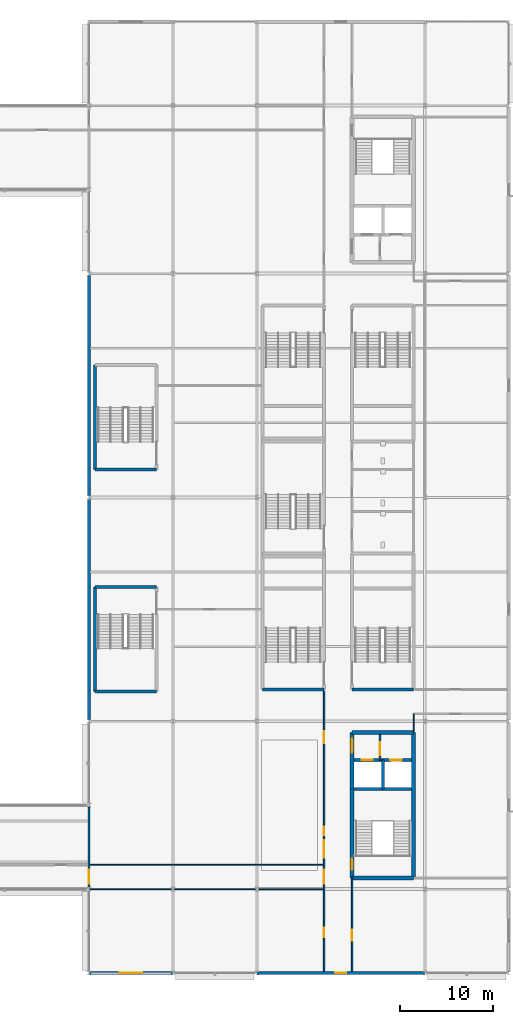
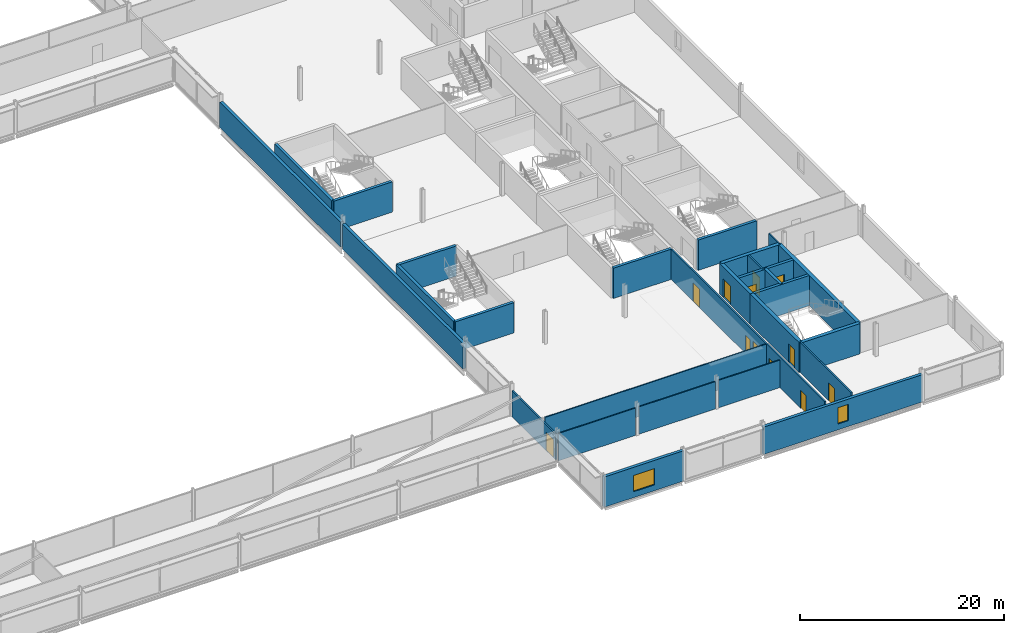
# One storey, part 64 of 98: 29 walls, 12 doors, 2 windows, 14 openings.
"""IFC4 building model written with IfcOpenShell, lengths in metres."""

from ifc_helpers import new_model, si_unit, direction, frame, frame_2d, origin, place, context, subcontext, project, spatial, rectangle, extrude, material, layer, layer_set, type_object, element, fill, save


model = new_model("IFC4")

# Units and contexts
model_context = context("Model", 3, precision=1e-05, world=origin(), true_north=direction((0.0, 1.0)))
body_context = subcontext(model_context, "Body", "Model", "MODEL_VIEW")
ifc_project = project(units=[si_unit("LENGTHUNIT", "METRE"), si_unit("AREAUNIT", "SQUARE_METRE"), si_unit("VOLUMEUNIT", "CUBIC_METRE"), si_unit("PLANEANGLEUNIT", "RADIAN"), si_unit("MASSUNIT", "GRAM", prefix="KILO")], contexts=[model_context])

# Site, building, storey
site_placement = place(None, origin())
site = spatial("IfcSite", under=ifc_project, at=site_placement, CompositionType="ELEMENT")
building_placement = place(site_placement, origin())
building = spatial("IfcBuilding", under=site, at=building_placement, Name="Kisiwana Market Hall", CompositionType="ELEMENT")
storey_placement = place(building_placement, frame((0.0, 0.0, 29.39990234375)))
storey = spatial("IfcBuildingStorey", under=building, at=storey_placement, Name="L06", CompositionType="ELEMENT", Elevation=29.39990234375)

# Wall, opening, door
ifc_material_1 = material(Name="Masonry blockwork", Category="masonry")
ifc_layer_1 = layer(ifc_material_1, 0.199951171875, Name="Plastered fire compartment block wall")
ifc_layer_set_1 = layer_set([ifc_layer_1], Name="WL-COMP-200")
wall_type_1 = type_object("IfcWallType", Name="WL-COMP-200", PredefinedType="PARTITIONING", material=ifc_layer_set_1)
wall_1_placement = place(storey_placement, frame((184.199951171875, 31.820068359375, 0.0), z_axis=(0.0, 0.0, 1.0), x_axis=(0.0, 1.0, 0.0)))
wall_1 = element("IfcWall", 1, at=wall_1_placement, inside=storey, type_object=wall_type_1, Name="Core E2 firefighting lobby wall W-2016", PredefinedType="PARTITIONING", context=body_context, shape_type="SweptSolid", body=[
    extrude(rectangle(XDim=2.780029296875, YDim=0.199951171875, at=frame_2d((1.39013671875, 0.0))), origin(), (0.0, 0.0, 1.0), 3.6201171875),
])
opening_1_placement = place(wall_1_placement, frame((0.550048828125, 0.0, 0.0)))
opening_1 = element("IfcOpeningElement", 2, at=opening_1_placement, cuts=wall_1, Name="Opening DR-L06-009", PredefinedType="OPENING", context=body_context, shape_type="SweptSolid", body=[
    extrude(rectangle(XDim=1.39990234375, YDim=2.25, at=frame_2d((0.699951171875, 1.125))), frame((0.0, 0.11181640625, 0.0), z_axis=(0.0, -1.0, 0.0), x_axis=(1.0, 0.0, 0.0)), (0.0, 0.0, 1.0), 0.223876953125),
])
ifc_material_2 = material(Name="Steel S275", Category="steel")
door_type_1 = type_object("IfcDoorType", Name="DR-FFLOB-FD120-1400", OperationType="DOUBLE_DOOR_SINGLE_SWING", PredefinedType="DOOR", material=ifc_material_2)
door_1_placement = place(opening_1_placement, origin())
door_1 = element("IfcDoor", 3, at=door_1_placement, inside=storey, type_object=door_type_1, Name="Firefighting Lift Lobby E2 Door (L06)", OperationType="DOUBLE_DOOR_SINGLE_SWING", OverallHeight=2.25, OverallWidth=1.39990234375, PredefinedType="DOOR", context=body_context, shape_type="SweptSolid", body=[
    extrude(rectangle(XDim=1.39990234375, YDim=2.25, at=frame_2d((0.699951171875, 1.125))), frame((0.0, 0.02490234375, 0.0), z_axis=(0.0, -1.0, 0.0), x_axis=(1.0, 0.0, 0.0)), (0.0, 0.0, 1.0), 0.050048828125),
])
fill(opening_1, door_1)

# Walls
ifc_material_3 = material(Name="Concrete C40/50", Category="concrete")
ifc_layer_2 = layer(ifc_material_3, 0.320068359375, Name="Reinforced concrete shaft wall")
ifc_layer_set_2 = layer_set([ifc_layer_2], Name="WL-CORE-320")
wall_type_2 = type_object("IfcWallType", Name="WL-CORE-320", PredefinedType="SHEAR", material=ifc_layer_set_2)
wall_2_placement = place(storey_placement, frame((181.39990234375, 28.760009765625, 0.0), z_axis=(0.0, 0.0, 1.0), x_axis=(1.0, 0.0, 0.0)))
element("IfcWall", 4, at=wall_2_placement, inside=storey, type_object=wall_type_2, Name="Core E2 shaft back shear wall W-1913", PredefinedType="SHEAR", context=body_context, shape_type="SweptSolid", body=[
    extrude(rectangle(XDim=6.2001953125, YDim=0.320068359375, at=frame_2d((3.10009765625, 0.0))), origin(), (0.0, 0.0, 1.0), 3.6201171875),
])
wall_3_placement = place(storey_placement, frame((184.5, 28.760009765625, 0.0), z_axis=(0.0, 0.0, 1.0), x_axis=(0.0, 1.0, 0.0)))
element("IfcWall", 5, at=wall_3_placement, inside=storey, type_object=wall_type_2, Name="Core E2 inter-shaft shear wall W-1914", PredefinedType="SHEAR", context=body_context, shape_type="SweptSolid", body=[
    extrude(rectangle(XDim=3.06005859375, YDim=0.320068359375, at=frame_2d((1.530029296875, 0.0))), origin(), (0.0, 0.0, 1.0), 3.6201171875),
])

# Wall, opening, door
wall_4_placement = place(storey_placement, frame((181.39990234375, 31.820068359375, 0.0), z_axis=(0.0, 0.0, 1.0), x_axis=(1.0, 0.0, 0.0)))
wall_4 = element("IfcWall", 6, at=wall_4_placement, inside=storey, type_object=wall_type_2, Name="Core E2 west lift front wall W-1915", PredefinedType="SHEAR", context=body_context, shape_type="SweptSolid", body=[
    extrude(rectangle(XDim=3.10009765625, YDim=0.320068359375, at=frame_2d((1.550048828125, 0.0))), origin(), (0.0, 0.0, 1.0), 3.6201171875),
])
opening_2_placement = place(wall_4_placement, frame((0.85009765625, 0.0, 0.0)))
opening_2 = element("IfcOpeningElement", 7, at=opening_2_placement, cuts=wall_4, Name="Opening LD-L06-005", PredefinedType="OPENING", context=body_context, shape_type="SweptSolid", body=[
    extrude(rectangle(XDim=1.14990234375, YDim=2.199951171875, at=frame_2d((0.574951171875, 1.10009765625))), frame((0.0, 0.171875, 0.0), z_axis=(0.0, -1.0, 0.0), x_axis=(1.0, 0.0, 0.0)), (0.0, 0.0, 1.0), 0.343994140625),
])
ifc_material_4 = material(Name="Steel S275", Category="steel")
door_type_2 = type_object("IfcDoorType", Name="DR-LIFT-PAX-1150", OperationType="DOUBLE_DOOR_SLIDING", PredefinedType="DOOR", material=ifc_material_4)
door_2_placement = place(opening_2_placement, origin())
door_2 = element("IfcDoor", 8, at=door_2_placement, inside=storey, type_object=door_type_2, Name="Lift Landing Door LP-03 (L06)", OperationType="DOUBLE_DOOR_SLIDING", OverallHeight=2.199951171875, OverallWidth=1.14990234375, PredefinedType="DOOR", context=body_context, shape_type="SweptSolid", body=[
    extrude(rectangle(XDim=1.14990234375, YDim=2.199951171875, at=frame_2d((0.574951171875, 1.10009765625))), frame((0.0, 0.02490234375, 0.0), z_axis=(0.0, -1.0, 0.0), x_axis=(1.0, 0.0, 0.0)), (0.0, 0.0, 1.0), 0.050048828125),
])
fill(opening_2, door_2)

wall_5_placement = place(storey_placement, frame((184.5, 31.820068359375, 0.0), z_axis=(0.0, 0.0, 1.0), x_axis=(1.0, 0.0, 0.0)))
wall_5 = element("IfcWall", 9, at=wall_5_placement, inside=storey, type_object=wall_type_2, Name="Core E2 east lift front wall W-1916", PredefinedType="SHEAR", context=body_context, shape_type="SweptSolid", body=[
    extrude(rectangle(XDim=3.10009765625, YDim=0.320068359375, at=frame_2d((1.550048828125, 0.0))), origin(), (0.0, 0.0, 1.0), 3.6201171875),
])
opening_3_placement = place(wall_5_placement, frame((0.800048828125, 0.0, 0.0)))
opening_3 = element("IfcOpeningElement", 10, at=opening_3_placement, cuts=wall_5, Name="Opening LD-L06-006", PredefinedType="OPENING", context=body_context, shape_type="SweptSolid", body=[
    extrude(rectangle(XDim=1.25, YDim=2.25, at=frame_2d((0.625, 1.125))), frame((0.0, 0.171875, 0.0), z_axis=(0.0, -1.0, 0.0), x_axis=(1.0, 0.0, 0.0)), (0.0, 0.0, 1.0), 0.343994140625),
])
ifc_material_5 = material(Name="Steel S275", Category="steel")
door_type_3 = type_object("IfcDoorType", Name="DR-LIFT-FFL-1250", OperationType="DOUBLE_DOOR_SLIDING", PredefinedType="DOOR", material=ifc_material_5)
door_3_placement = place(opening_3_placement, origin())
door_3 = element("IfcDoor", 11, at=door_3_placement, inside=storey, type_object=door_type_3, Name="Lift Landing Door FFL-03 (L06)", OperationType="DOUBLE_DOOR_SLIDING", OverallHeight=2.25, OverallWidth=1.25, PredefinedType="DOOR", context=body_context, shape_type="SweptSolid", body=[
    extrude(rectangle(XDim=1.25, YDim=2.25, at=frame_2d((0.625, 1.125))), frame((0.0, 0.02490234375, 0.0), z_axis=(0.0, -1.0, 0.0), x_axis=(1.0, 0.0, 0.0)), (0.0, 0.0, 1.0), 0.050048828125),
])
fill(opening_3, door_3)

# Walls
wall_6_placement = place(storey_placement, frame((181.199951171875, 39.39990234375, 0.0), z_axis=(0.0, 0.0, 1.0), x_axis=(1.0, 0.0, 0.0)))
element("IfcWall", 12, at=wall_6_placement, inside=storey, type_object=wall_type_2, Name="Core E3 south shear wall W-1936", PredefinedType="SHEAR", context=body_context, shape_type="SweptSolid", body=[
    extrude(rectangle(XDim=6.60009765625, YDim=0.320068359375, at=frame_2d((3.300048828125, 0.0))), origin(), (0.0, 0.0, 1.0), 3.6201171875),
])
wall_7_placement = place(storey_placement, frame((171.60009765625, 39.39990234375, 0.0), z_axis=(0.0, 0.0, 1.0), x_axis=(1.0, 0.0, 0.0)))
element("IfcWall", 13, at=wall_7_placement, inside=storey, type_object=wall_type_2, Name="Core E7 south shear wall W-1951", PredefinedType="SHEAR", context=body_context, shape_type="SweptSolid", body=[
    extrude(rectangle(XDim=6.599853515625, YDim=0.320068359375, at=frame_2d((3.2998046875, 0.0))), origin(), (0.0, 0.0, 1.0), 3.6201171875),
])
for number, where, z_axis, x_axis, name in (
    (14, (153.6298828125, 39.199951171875, 0.0), (0.0, 0.0, 1.0), (1.0, 0.0, 0.0), "Core E9 south shear wall W-1970"),
    (15, (153.6298828125, 50.39990234375, 0.0), (0.0, 0.0, 1.0), (1.0, 0.0, 0.0), "Core E9 north shear wall W-1971"),
):
    element("IfcWall", number, at=place(storey_placement, frame(where, z_axis=z_axis, x_axis=x_axis)), inside=storey, type_object=wall_type_2, Name=name, PredefinedType="SHEAR", context=body_context, shape_type="SweptSolid", body=[
        extrude(rectangle(XDim=6.60009765625, YDim=0.320068359375, at=frame_2d((3.300048828125, 0.0))), origin(), (0.0, 0.0, 1.0), 3.6201171875),
    ])
wall_8_placement = place(storey_placement, frame((153.6298828125, 39.199951171875, 0.0), z_axis=(0.0, 0.0, 1.0), x_axis=(0.0, 1.0, 0.0)))
element("IfcWall", 16, at=wall_8_placement, inside=storey, type_object=wall_type_2, Name="Core E9 outer shear wall W-1972", PredefinedType="SHEAR", context=body_context, shape_type="SweptSolid", body=[
    extrude(rectangle(XDim=11.199951171875, YDim=0.320068359375, at=frame_2d((5.60009765625, 0.0))), origin(), (0.0, 0.0, 1.0), 3.6201171875),
])
wall_9_placement = place(storey_placement, frame((153.6298828125, 63.0, 0.0), z_axis=(0.0, 0.0, 1.0), x_axis=(1.0, 0.0, 0.0)))
element("IfcWall", 17, at=wall_9_placement, inside=storey, type_object=wall_type_2, Name="Core E10 south shear wall W-1978", PredefinedType="SHEAR", context=body_context, shape_type="SweptSolid", body=[
    extrude(rectangle(XDim=6.60009765625, YDim=0.320068359375, at=frame_2d((3.300048828125, 0.0))), origin(), (0.0, 0.0, 1.0), 3.6201171875),
])
wall_10_placement = place(storey_placement, frame((153.6298828125, 63.0, 0.0), z_axis=(0.0, 0.0, 1.0), x_axis=(0.0, 1.0, 0.0)))
element("IfcWall", 18, at=wall_10_placement, inside=storey, type_object=wall_type_2, Name="Core E10 outer shear wall W-1980", PredefinedType="SHEAR", context=body_context, shape_type="SweptSolid", body=[
    extrude(rectangle(XDim=11.199951171875, YDim=0.320068359375, at=frame_2d((5.60009765625, 0.0))), origin(), (0.0, 0.0, 1.0), 3.6201171875),
])
ifc_material_6 = material(Name="Concrete C40/50", Category="concrete")
ifc_layer_3 = layer(ifc_material_6, 0.39990234375, Name="Reinforced concrete core wall")
ifc_layer_set_3 = layer_set([ifc_layer_3], Name="WL-CORE-400")
wall_type_3 = type_object("IfcWallType", Name="WL-CORE-400", PredefinedType="SHEAR", material=ifc_layer_set_3)
for number, where, z_axis, x_axis, name in (
    (19, (181.199951171875, 19.199951171875, 0.0), (0.0, 0.0, 1.0), (1.0, 0.0, 0.0), "Core E2 south shear wall W-1908"),
    (20, (181.199951171875, 34.800048828125, 0.0), (0.0, 0.0, 1.0), (1.0, 0.0, 0.0), "Core E2 north shear wall W-1909"),
):
    element("IfcWall", number, at=place(storey_placement, frame(where, z_axis=z_axis, x_axis=x_axis)), inside=storey, type_object=wall_type_3, Name=name, PredefinedType="SHEAR", context=body_context, shape_type="SweptSolid", body=[
        extrude(rectangle(XDim=6.60009765625, YDim=0.39990234375, at=frame_2d((3.300048828125, 0.0))), origin(), (0.0, 0.0, 1.0), 3.6201171875),
    ])
wall_11_placement = place(storey_placement, frame((187.800048828125, 19.199951171875, 0.0), z_axis=(0.0, 0.0, 1.0), x_axis=(0.0, 1.0, 0.0)))
element("IfcWall", 21, at=wall_11_placement, inside=storey, type_object=wall_type_3, Name="Core E2 outer shear wall W-1910", PredefinedType="SHEAR", context=body_context, shape_type="SweptSolid", body=[
    extrude(rectangle(XDim=15.60009765625, YDim=0.39990234375, at=frame_2d((7.800048828125, 0.0))), origin(), (0.0, 0.0, 1.0), 3.6201171875),
])

# Wall, opening, door
wall_12_placement = place(storey_placement, frame((181.199951171875, 19.199951171875, 0.0), z_axis=(0.0, 0.0, 1.0), x_axis=(0.0, 1.0, 0.0)))
wall_12 = element("IfcWall", 22, at=wall_12_placement, inside=storey, type_object=wall_type_3, Name="Core E2 stair corridor shear wall W-1911", PredefinedType="SHEAR", context=body_context, shape_type="SweptSolid", body=[
    extrude(rectangle(XDim=9.56005859375, YDim=0.39990234375, at=frame_2d((4.780029296875, 0.0))), origin(), (0.0, 0.0, 1.0), 3.6201171875),
])
opening_4_placement = place(wall_12_placement, frame((0.85009765625, 0.0, 0.0)))
opening_4 = element("IfcOpeningElement", 23, at=opening_4_placement, cuts=wall_12, Name="Opening DR-L06-007", PredefinedType="OPENING", context=body_context, shape_type="SweptSolid", body=[
    extrude(rectangle(XDim=1.199951171875, YDim=2.199951171875, at=frame_2d((0.60009765625, 1.10009765625))), frame((0.0, 0.2119140625, 0.0), z_axis=(0.0, -1.0, 0.0), x_axis=(1.0, 0.0, 0.0)), (0.0, 0.0, 1.0), 0.423828125),
])
ifc_material_7 = material(Name="Steel S275", Category="steel")
door_type_4 = type_object("IfcDoorType", Name="DR-STAIR-FD120-1200", OperationType="NOTDEFINED", PredefinedType="DOOR", material=ifc_material_7)
door_4_placement = place(opening_4_placement, frame((1.199951171875, 0.0, 0.0), z_axis=(0.0, 0.0, 1.0), x_axis=(-1.0, 0.0, 0.0)))
door_4 = element("IfcDoor", 24, at=door_4_placement, inside=storey, type_object=door_type_4, Name="Escape Stair E2 Fire Door (L06)", OperationType="SINGLE_SWING_RIGHT", OverallHeight=2.199951171875, OverallWidth=1.199951171875, PredefinedType="DOOR", context=body_context, shape_type="SweptSolid", body=[
    extrude(rectangle(XDim=1.199951171875, YDim=2.199951171875, at=frame_2d((0.60009765625, 1.10009765625))), frame((0.0, 0.02490234375, 0.0), z_axis=(0.0, -1.0, 0.0), x_axis=(1.0, 0.0, 0.0)), (0.0, 0.0, 1.0), 0.050048828125),
])
fill(opening_4, door_4)

wall_13_placement = place(storey_placement, frame((181.199951171875, 28.760009765625, 0.0), z_axis=(0.0, 0.0, 1.0), x_axis=(0.0, 1.0, 0.0)))
wall_13 = element("IfcWall", 25, at=wall_13_placement, inside=storey, type_object=wall_type_3, Name="Core E2 lobby corridor shear wall W-1912", PredefinedType="SHEAR", context=body_context, shape_type="SweptSolid", body=[
    extrude(rectangle(XDim=6.0400390625, YDim=0.39990234375, at=frame_2d((3.02001953125, 0.0))), origin(), (0.0, 0.0, 1.0), 3.6201171875),
])
opening_5_placement = place(wall_13_placement, frame((3.85009765625, 0.0, 0.0)))
opening_5 = element("IfcOpeningElement", 26, at=opening_5_placement, cuts=wall_13, Name="Opening DR-L06-008", PredefinedType="OPENING", context=body_context, shape_type="SweptSolid", body=[
    extrude(rectangle(XDim=1.5, YDim=2.199951171875, at=frame_2d((0.75, 1.10009765625))), frame((0.0, 0.2119140625, 0.0), z_axis=(0.0, -1.0, 0.0), x_axis=(1.0, 0.0, 0.0)), (0.0, 0.0, 1.0), 0.423828125),
])
ifc_material_8 = material(Name="Steel S275", Category="steel")
door_type_5 = type_object("IfcDoorType", Name="DR-CORR-FD60-1500", OperationType="DOUBLE_DOOR_SINGLE_SWING", PredefinedType="DOOR", material=ifc_material_8)
door_5_placement = place(opening_5_placement, origin())
door_5 = element("IfcDoor", 27, at=door_5_placement, inside=storey, type_object=door_type_5, Name="Passenger Lift Lobby E2 Smoke Door (L06)", OperationType="DOUBLE_DOOR_SINGLE_SWING", OverallHeight=2.199951171875, OverallWidth=1.5, PredefinedType="DOOR", context=body_context, shape_type="SweptSolid", body=[
    extrude(rectangle(XDim=1.5, YDim=2.199951171875, at=frame_2d((0.75, 1.10009765625))), frame((0.0, 0.02490234375, 0.0), z_axis=(0.0, -1.0, 0.0), x_axis=(1.0, 0.0, 0.0)), (0.0, 0.0, 1.0), 0.050048828125),
])
fill(opening_5, door_5)

ifc_material_9 = material(Name="Masonry blockwork", Category="masonry")
ifc_layer_4 = layer(ifc_material_9, 0.169921875, Name="Protected corridor partition")
ifc_layer_set_4 = layer_set([ifc_layer_4], Name="WL-CORR-170")
wall_type_4 = type_object("IfcWallType", Name="WL-CORR-170", PredefinedType="PARTITIONING", material=ifc_layer_set_4)
wall_14_placement = place(storey_placement, frame((181.199951171875, 9.1826171875, 0.0), z_axis=(0.0, 0.0, 1.0), x_axis=(0.0, 1.0, 0.0)))
wall_14 = element("IfcWall", 28, at=wall_14_placement, inside=storey, type_object=wall_type_4, Name="Interior partition W-2058", PredefinedType="PARTITIONING", context=body_context, shape_type="SweptSolid", body=[
    extrude(rectangle(XDim=10.017333984375, YDim=0.169921875, at=frame_2d((5.0087890625, 0.0))), origin(), (0.0, 0.0, 1.0), 3.6201171875),
])
opening_6_placement = place(wall_14_placement, frame((3.300048828125, 0.0, 0.0)))
opening_6 = element("IfcOpeningElement", 29, at=opening_6_placement, cuts=wall_14, Name="Opening DR-L06-052", PredefinedType="OPENING", context=body_context, shape_type="SweptSolid", body=[
    extrude(rectangle(XDim=1.14990234375, YDim=2.14990234375, at=frame_2d((0.574951171875, 1.074951171875))), frame((0.0, 0.096923828125, 0.0), z_axis=(0.0, -1.0, 0.0), x_axis=(1.0, 0.0, 0.0)), (0.0, 0.0, 1.0), 0.19384765625),
])
ifc_material_10 = material(Name="Aluminium alloy 6063-T6", Category="aluminium")
door_type_6 = type_object("IfcDoorType", Name="DR-MEET-1150", OperationType="NOTDEFINED", PredefinedType="DOOR", material=ifc_material_10)
door_6_placement = place(opening_6_placement, frame((1.14990234375, 0.0, 0.0), z_axis=(0.0, 0.0, 1.0), x_axis=(-1.0, 0.0, 0.0)))
door_6 = element("IfcDoor", 30, at=door_6_placement, inside=storey, type_object=door_type_6, Name="L06 E Corner Office Suite South Door", OperationType="SINGLE_SWING_RIGHT", OverallHeight=2.14990234375, OverallWidth=1.14990234375, PredefinedType="DOOR", context=body_context, shape_type="SweptSolid", body=[
    extrude(rectangle(XDim=1.14990234375, YDim=2.14990234375, at=frame_2d((0.574951171875, 1.074951171875))), frame((0.0, 0.02490234375, 0.0), z_axis=(0.0, -1.0, 0.0), x_axis=(1.0, 0.0, 0.0)), (0.0, 0.0, 1.0), 0.050048828125),
])
fill(opening_6, door_6)

# Wall, openings, doors
wall_15_placement = place(storey_placement, frame((178.199951171875, 9.1826171875, 0.0), z_axis=(0.0, 0.0, 1.0), x_axis=(0.0, 1.0, 0.0)))
wall_15 = element("IfcWall", 31, at=wall_15_placement, inside=storey, type_object=wall_type_4, Name="Interior partition W-2070", PredefinedType="PARTITIONING", context=body_context, shape_type="SweptSolid", body=[
    extrude(rectangle(XDim=30.057373046875, YDim=0.169921875, at=frame_2d((15.02880859375, 0.0))), origin(), (0.0, 0.0, 1.0), 3.6201171875),
])
opening_7_placement = place(wall_15_placement, frame((3.677978515625, 0.0, 0.0)))
opening_7 = element("IfcOpeningElement", 32, at=opening_7_placement, cuts=wall_15, Name="Opening DR-L06-055", PredefinedType="OPENING", context=body_context, shape_type="SweptSolid", body=[
    extrude(rectangle(XDim=1.0, YDim=2.14990234375, at=frame_2d((0.5, 1.074951171875))), frame((0.0, 0.096923828125, 0.0), z_axis=(0.0, -1.0, 0.0), x_axis=(1.0, 0.0, 0.0)), (0.0, 0.0, 1.0), 0.19384765625),
])
opening_8_placement = place(wall_15_placement, frame((9.367919921875, 0.0, 0.0)))
opening_8 = element("IfcOpeningElement", 33, at=opening_8_placement, cuts=wall_15, Name="Opening DR-L06-056", PredefinedType="OPENING", context=body_context, shape_type="SweptSolid", body=[
    extrude(rectangle(XDim=1.5, YDim=2.199951171875, at=frame_2d((0.75, 1.10009765625))), frame((0.0, 0.096923828125, 0.0), z_axis=(0.0, -1.0, 0.0), x_axis=(1.0, 0.0, 0.0)), (0.0, 0.0, 1.0), 0.19384765625),
])
opening_9_placement = place(wall_15_placement, frame((24.47705078125, 0.0, 0.0)))
opening_9 = element("IfcOpeningElement", 34, at=opening_9_placement, cuts=wall_15, Name="Opening DR-L06-057", PredefinedType="OPENING", context=body_context, shape_type="SweptSolid", body=[
    extrude(rectangle(XDim=1.280029296875, YDim=2.199951171875, at=frame_2d((0.64013671875, 1.10009765625))), frame((0.0, 0.096923828125, 0.0), z_axis=(0.0, -1.0, 0.0), x_axis=(1.0, 0.0, 0.0)), (0.0, 0.0, 1.0), 0.19384765625),
])
opening_10_placement = place(wall_15_placement, frame((14.569091796875, 0.0, 0.0)))
opening_10 = element("IfcOpeningElement", 35, at=opening_10_placement, cuts=wall_15, Name="Opening DR-L06-058", PredefinedType="OPENING", context=body_context, shape_type="SweptSolid", body=[
    extrude(rectangle(XDim=0.919921875, YDim=2.14990234375, at=frame_2d((0.4599609375, 1.074951171875))), frame((0.0, 0.096923828125, 0.0), z_axis=(0.0, -1.0, 0.0), x_axis=(1.0, 0.0, 0.0)), (0.0, 0.0, 1.0), 0.19384765625),
])
opening_11_placement = place(wall_15_placement, frame((12.16796875, 0.0, 0.0)))
opening_11 = element("IfcOpeningElement", 36, at=opening_11_placement, cuts=wall_15, Name="Opening DR-L06-059", PredefinedType="OPENING", context=body_context, shape_type="SweptSolid", body=[
    extrude(rectangle(XDim=1.89990234375, YDim=2.35009765625, at=frame_2d((0.949951171875, 1.175048828125))), frame((0.0, 0.096923828125, 0.0), z_axis=(0.0, -1.0, 0.0), x_axis=(1.0, 0.0, 0.0)), (0.0, 0.0, 1.0), 0.19384765625),
])
door_7_placement = place(opening_8_placement, origin())
door_7 = element("IfcDoor", 37, at=door_7_placement, inside=storey, type_object=door_type_5, Name="L06 E South Skybridge Link Corridor Door", OperationType="DOUBLE_DOOR_SINGLE_SWING", OverallHeight=2.199951171875, OverallWidth=1.5, PredefinedType="DOOR", context=body_context, shape_type="SweptSolid", body=[
    extrude(rectangle(XDim=1.5, YDim=2.199951171875, at=frame_2d((0.75, 1.10009765625))), frame((0.0, 0.02490234375, 0.0), z_axis=(0.0, -1.0, 0.0), x_axis=(1.0, 0.0, 0.0)), (0.0, 0.0, 1.0), 0.050048828125),
])
fill(opening_8, door_7)
ifc_material_11 = material(Name="Steel S275", Category="steel")
door_type_7 = type_object("IfcDoorType", Name="DR-HALL-1900", OperationType="DOUBLE_DOOR_SINGLE_SWING", PredefinedType="DOOR", material=ifc_material_11)
door_8_placement = place(opening_11_placement, origin())
door_8 = element("IfcDoor", 38, at=door_8_placement, inside=storey, type_object=door_type_7, Name="L06 E Meeting Room A2 Exit Door", OperationType="DOUBLE_DOOR_SINGLE_SWING", OverallHeight=2.35009765625, OverallWidth=1.89990234375, PredefinedType="DOOR", context=body_context, shape_type="SweptSolid", body=[
    extrude(rectangle(XDim=1.89990234375, YDim=2.35009765625, at=frame_2d((0.949951171875, 1.175048828125))), frame((0.0, 0.02490234375, 0.0), z_axis=(0.0, -1.0, 0.0), x_axis=(1.0, 0.0, 0.0)), (0.0, 0.0, 1.0), 0.050048828125),
])
fill(opening_11, door_8)
ifc_material_12 = material(Name="Hardwood timber", Category="wood")
door_type_8 = type_object("IfcDoorType", Name="DR-MEET-1280", OperationType="NOTDEFINED", PredefinedType="DOOR", material=ifc_material_12)
door_9_placement = place(opening_9_placement, origin())
door_9 = element("IfcDoor", 39, at=door_9_placement, inside=storey, type_object=door_type_8, Name="L06 E Meeting Room A2 Door", OperationType="SINGLE_SWING_RIGHT", OverallHeight=2.199951171875, OverallWidth=1.280029296875, PredefinedType="DOOR", context=body_context, shape_type="SweptSolid", body=[
    extrude(rectangle(XDim=1.280029296875, YDim=2.199951171875, at=frame_2d((0.64013671875, 1.10009765625))), frame((0.0, 0.02490234375, 0.0), z_axis=(0.0, -1.0, 0.0), x_axis=(1.0, 0.0, 0.0)), (0.0, 0.0, 1.0), 0.050048828125),
])
fill(opening_9, door_9)
ifc_material_13 = material(Name="Hardwood timber", Category="wood")
door_type_9 = type_object("IfcDoorType", Name="DR-OFF-0920", OperationType="NOTDEFINED", PredefinedType="DOOR", material=ifc_material_13)
door_10_placement = place(opening_10_placement, origin())
door_10 = element("IfcDoor", 40, at=door_10_placement, inside=storey, type_object=door_type_9, Name="L06 E Open-Plan Office A3 Door", OperationType="SINGLE_SWING_LEFT", OverallHeight=2.14990234375, OverallWidth=0.919921875, PredefinedType="DOOR", context=body_context, shape_type="SweptSolid", body=[
    extrude(rectangle(XDim=0.919921875, YDim=2.14990234375, at=frame_2d((0.4599609375, 1.074951171875))), frame((0.0, 0.02490234375, 0.0), z_axis=(0.0, -1.0, 0.0), x_axis=(1.0, 0.0, 0.0)), (0.0, 0.0, 1.0), 0.050048828125),
])
fill(opening_10, door_10)
ifc_material_14 = material(Name="Aluminium alloy 6063-T6", Category="aluminium")
door_type_10 = type_object("IfcDoorType", Name="DR-OFF-1000", OperationType="NOTDEFINED", PredefinedType="DOOR", material=ifc_material_14)
door_11_placement = place(opening_7_placement, origin())
door_11 = element("IfcDoor", 41, at=door_11_placement, inside=storey, type_object=door_type_10, Name="L06 E Commercial Office A1 Door", OperationType="SINGLE_SWING_LEFT", OverallHeight=2.14990234375, OverallWidth=1.0, PredefinedType="DOOR", context=body_context, shape_type="SweptSolid", body=[
    extrude(rectangle(XDim=1.0, YDim=2.14990234375, at=frame_2d((0.5, 1.074951171875))), frame((0.0, 0.02490234375, 0.0), z_axis=(0.0, -1.0, 0.0), x_axis=(1.0, 0.0, 0.0)), (0.0, 0.0, 1.0), 0.050048828125),
])
fill(opening_7, door_11)

# Wall, opening, door
wall_16_placement = place(storey_placement, frame((153.0, 18.219970703125, 0.0), z_axis=(0.0, 0.0, 1.0), x_axis=(0.0, 1.0, 0.0)))
wall_16 = element("IfcWall", 42, at=wall_16_placement, inside=storey, type_object=wall_type_4, Name="Interior partition W-2072", PredefinedType="PARTITIONING", context=body_context, shape_type="SweptSolid", body=[
    extrude(rectangle(XDim=8.56005859375, YDim=0.169921875, at=frame_2d((4.280029296875, 0.0))), origin(), (0.0, 0.0, 1.0), 3.0869140625),
])
opening_12_placement = place(wall_16_placement, frame((0.3798828125, 0.0, 0.0)))
opening_12 = element("IfcOpeningElement", 43, at=opening_12_placement, cuts=wall_16, Name="Opening DR-L06-063", PredefinedType="OPENING", context=body_context, shape_type="SweptSolid", body=[
    extrude(rectangle(XDim=1.5, YDim=2.199951171875, at=frame_2d((0.75, 1.10009765625))), frame((0.0, 0.096923828125, 0.0), z_axis=(0.0, -1.0, 0.0), x_axis=(1.0, 0.0, 0.0)), (0.0, 0.0, 1.0), 0.19384765625),
])
door_12_placement = place(opening_12_placement, origin())
door_12 = element("IfcDoor", 44, at=door_12_placement, inside=storey, type_object=door_type_5, Name="L06 E South Skybridge Spine Door", OperationType="DOUBLE_DOOR_SINGLE_SWING", OverallHeight=2.199951171875, OverallWidth=1.5, PredefinedType="DOOR", context=body_context, shape_type="SweptSolid", body=[
    extrude(rectangle(XDim=1.5, YDim=2.199951171875, at=frame_2d((0.75, 1.10009765625))), frame((0.0, 0.02490234375, 0.0), z_axis=(0.0, -1.0, 0.0), x_axis=(1.0, 0.0, 0.0)), (0.0, 0.0, 1.0), 0.050048828125),
])
fill(opening_12, door_12)

# Wall, opening, window
ifc_material_15 = material(Name="Concrete C40/50 precast", Category="concrete")
ifc_layer_5 = layer(ifc_material_15, 0.14990234375, Name="Precast architectural concrete spandrel")
ifc_material_16 = material(Name="Mineral wool insulation")
ifc_layer_6 = layer(ifc_material_16, 0.090087890625, Name="Rockwool thermal insulation")
ifc_material_17 = material(Name="Masonry blockwork", Category="masonry")
ifc_layer_7 = layer(ifc_material_17, 0.10009765625, Name="Inner masonry block leaf")
ifc_layer_set_5 = layer_set([ifc_layer_5, ifc_layer_6, ifc_layer_7], Name="WL-EXT-PREC-340")
wall_type_5 = type_object("IfcWallType", Name="WL-EXT-PREC-340", PredefinedType="STANDARD", material=ifc_layer_set_5)
wall_17_placement = place(storey_placement, frame((153.010009765625, 9.0, 0.0), z_axis=(0.0, 0.0, 1.0), x_axis=(1.0, 0.0, 0.0)))
wall_17 = element("IfcWall", 45, at=wall_17_placement, inside=storey, type_object=wall_type_5, Name="Exterior wall W-1993", PredefinedType="STANDARD", context=body_context, shape_type="SweptSolid", body=[
    extrude(rectangle(XDim=8.97998046875, YDim=0.340087890625, at=frame_2d((4.489990234375, 0.0))), origin(), (0.0, 0.0, 1.0), 3.6201171875),
])
opening_13_placement = place(wall_17_placement, frame((3.2900390625, 0.0, 0.699951171875)))
opening_13 = element("IfcOpeningElement", 46, at=opening_13_placement, cuts=wall_17, Name="Opening WN-27", PredefinedType="OPENING", context=body_context, shape_type="SweptSolid", body=[
    extrude(rectangle(XDim=2.39990234375, YDim=1.949951171875, at=frame_2d((1.199951171875, 0.97509765625))), frame((0.0, 0.18212890625, 0.0), z_axis=(0.0, -1.0, 0.0), x_axis=(1.0, 0.0, 0.0)), (0.0, 0.0, 1.0), 0.364013671875),
])
ifc_material_18 = material(Name="Double-glazed solar-control low-E IGU", Category="glass")
window_type_1 = type_object("IfcWindowType", Name="WN-OFFA-2400x1950", PartitioningType="SINGLE_PANEL", PredefinedType="WINDOW", material=ifc_material_18)
window_1_placement = place(opening_13_placement, origin())
window_1 = element("IfcWindow", 47, at=window_1_placement, inside=storey, type_object=window_type_1, Name="Exterior window WN-201", OverallHeight=1.949951171875, OverallWidth=2.39990234375, PartitioningType="SINGLE_PANEL", PredefinedType="WINDOW", context=body_context, shape_type="SweptSolid", body=[
    extrude(rectangle(XDim=2.39990234375, YDim=1.949951171875, at=frame_2d((1.199951171875, 0.97509765625))), frame((0.0, 0.030029296875, 0.0), z_axis=(0.0, -1.0, 0.0), x_axis=(1.0, 0.0, 0.0)), (0.0, 0.0, 1.0), 0.06005859375),
])
fill(opening_13, window_1)

wall_18_placement = place(storey_placement, frame((171.010009765625, 9.0, 0.0), z_axis=(0.0, 0.0, 1.0), x_axis=(1.0, 0.0, 0.0)))
wall_18 = element("IfcWall", 48, at=wall_18_placement, inside=storey, type_object=wall_type_5, Name="Exterior wall W-1994", PredefinedType="STANDARD", context=body_context, shape_type="SweptSolid", body=[
    extrude(rectangle(XDim=17.97998046875, YDim=0.340087890625, at=frame_2d((8.989990234375, 0.0))), origin(), (0.0, 0.0, 1.0), 3.2802734375),
])
opening_14_placement = place(wall_18_placement, frame((8.389892578125, 0.0, 0.699951171875)))
opening_14 = element("IfcOpeningElement", 49, at=opening_14_placement, cuts=wall_18, Name="Opening WN-15", PredefinedType="OPENING", context=body_context, shape_type="SweptSolid", body=[
    extrude(rectangle(XDim=1.199951171875, YDim=1.949951171875, at=frame_2d((0.60009765625, 0.97509765625))), frame((0.0, 0.18212890625, 0.0), z_axis=(0.0, -1.0, 0.0), x_axis=(1.0, 0.0, 0.0)), (0.0, 0.0, 1.0), 0.364013671875),
])
ifc_material_19 = material(Name="Double-glazed solar-control low-E IGU", Category="glass")
window_type_2 = type_object("IfcWindowType", Name="WN-OFFA-1200x1950", PartitioningType="SINGLE_PANEL", PredefinedType="WINDOW", material=ifc_material_19)
window_2_placement = place(opening_14_placement, origin())
window_2 = element("IfcWindow", 50, at=window_2_placement, inside=storey, type_object=window_type_2, Name="Exterior window WN-188", OverallHeight=1.949951171875, OverallWidth=1.199951171875, PartitioningType="SINGLE_PANEL", PredefinedType="WINDOW", context=body_context, shape_type="SweptSolid", body=[
    extrude(rectangle(XDim=1.199951171875, YDim=1.949951171875, at=frame_2d((0.60009765625, 0.97509765625))), frame((0.0, 0.030029296875, 0.0), z_axis=(0.0, -1.0, 0.0), x_axis=(1.0, 0.0, 0.0)), (0.0, 0.0, 1.0), 0.06005859375),
])
fill(opening_14, window_2)

# Walls
for number, where, z_axis, x_axis, name in (
    (51, (153.0, 36.1806640625, 0.0), (0.0, 0.0, 1.0), (0.0, 1.0, 0.0), "Exterior wall W-2007"),
    (52, (153.0, 60.1806640625, 0.0), (0.0, 0.0, 1.0), (0.0, 1.0, 0.0), "Exterior wall W-2008"),
):
    element("IfcWall", number, at=place(storey_placement, frame(where, z_axis=z_axis, x_axis=x_axis)), inside=storey, type_object=wall_type_5, Name=name, PredefinedType="STANDARD", context=body_context, shape_type="SweptSolid", body=[
        extrude(rectangle(XDim=23.638671875, YDim=0.340087890625, at=frame_2d((11.8193359375, 0.0))), origin(), (0.0, 0.0, 1.0), 3.0078125),
    ])
ifc_material_20 = material(Name="Gypsum plasterboard")
ifc_layer_8 = layer(ifc_material_20, 0.125, Name="Double gypsum board + acoustic stud")
ifc_layer_set_6 = layer_set([ifc_layer_8], Name="WL-OFF-125")
wall_type_6 = type_object("IfcWallType", Name="WL-OFF-125", PredefinedType="PARTITIONING", material=ifc_layer_set_6)
wall_19_placement = place(storey_placement, frame((187.800048828125, 34.800048828125, 0.0), z_axis=(0.0, 0.0, 1.0), x_axis=(0.0, 1.0, 0.0)))
element("IfcWall", 53, at=wall_19_placement, inside=storey, type_object=wall_type_6, Name="Interior partition W-2050", PredefinedType="PARTITIONING", context=body_context, shape_type="SweptSolid", body=[
    extrude(rectangle(XDim=2.0, YDim=0.125, at=frame_2d((1.0, 0.0))), origin(), (0.0, 0.0, 1.0), 3.6201171875),
])
wall_20_placement = place(storey_placement, frame((153.0849609375, 18.0, 0.0), z_axis=(0.0, 0.0, 1.0), x_axis=(1.0, 0.0, 0.0)))
element("IfcWall", 54, at=wall_20_placement, inside=storey, type_object=wall_type_6, Name="Interior partition W-2060", PredefinedType="PARTITIONING", context=body_context, shape_type="SweptSolid", body=[
    extrude(rectangle(XDim=8.734130859375, YDim=0.125, at=frame_2d((4.3671875, 0.0))), origin(), (0.0, 0.0, 1.0), 3.260009765625),
])
wall_21_placement = place(storey_placement, frame((162.180908203125, 18.0, 0.0), z_axis=(0.0, 0.0, 1.0), x_axis=(1.0, 0.0, 0.0)))
element("IfcWall", 55, at=wall_21_placement, inside=storey, type_object=wall_type_6, Name="Interior partition W-2061", PredefinedType="PARTITIONING", context=body_context, shape_type="SweptSolid", body=[
    extrude(rectangle(XDim=8.6318359375, YDim=0.125, at=frame_2d((4.31591796875, 0.0))), origin(), (0.0, 0.0, 1.0), 3.260009765625),
])
wall_22_placement = place(storey_placement, frame((171.187255859375, 18.0, 0.0), z_axis=(0.0, 0.0, 1.0), x_axis=(1.0, 0.0, 0.0)))
element("IfcWall", 56, at=wall_22_placement, inside=storey, type_object=wall_type_6, Name="Interior partition W-2062", PredefinedType="PARTITIONING", context=body_context, shape_type="SweptSolid", body=[
    extrude(rectangle(XDim=6.927734375, YDim=0.125, at=frame_2d((3.4638671875, 0.0))), origin(), (0.0, 0.0, 1.0), 3.2802734375),
])
wall_23_placement = place(storey_placement, frame((153.0849609375, 20.60009765625, 0.0), z_axis=(0.0, 0.0, 1.0), x_axis=(1.0, 0.0, 0.0)))
element("IfcWall", 57, at=wall_23_placement, inside=storey, type_object=wall_type_6, Name="Interior partition W-2063", PredefinedType="PARTITIONING", context=body_context, shape_type="SweptSolid", body=[
    extrude(rectangle(XDim=25.030029296875, YDim=0.125, at=frame_2d((12.51513671875, 0.0))), origin(), (0.0, 0.0, 1.0), 3.6201171875),
])

save(model, "model.ifc")
